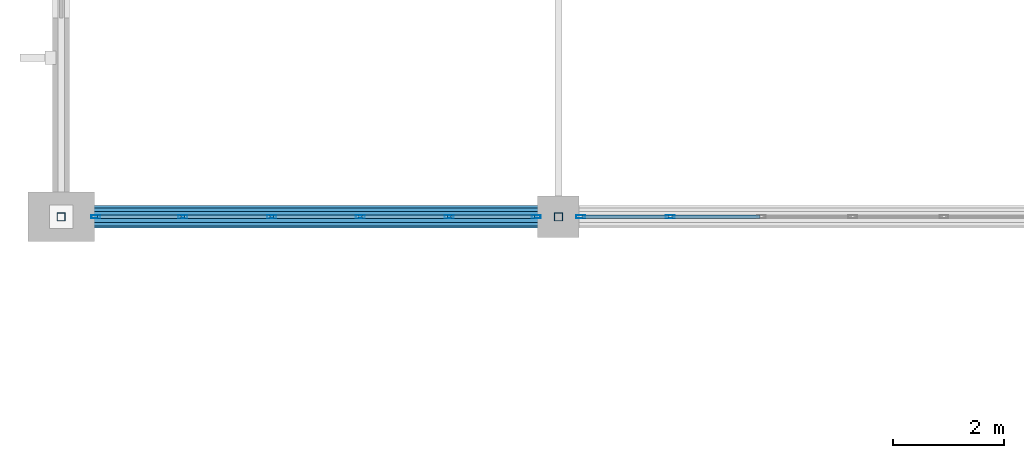
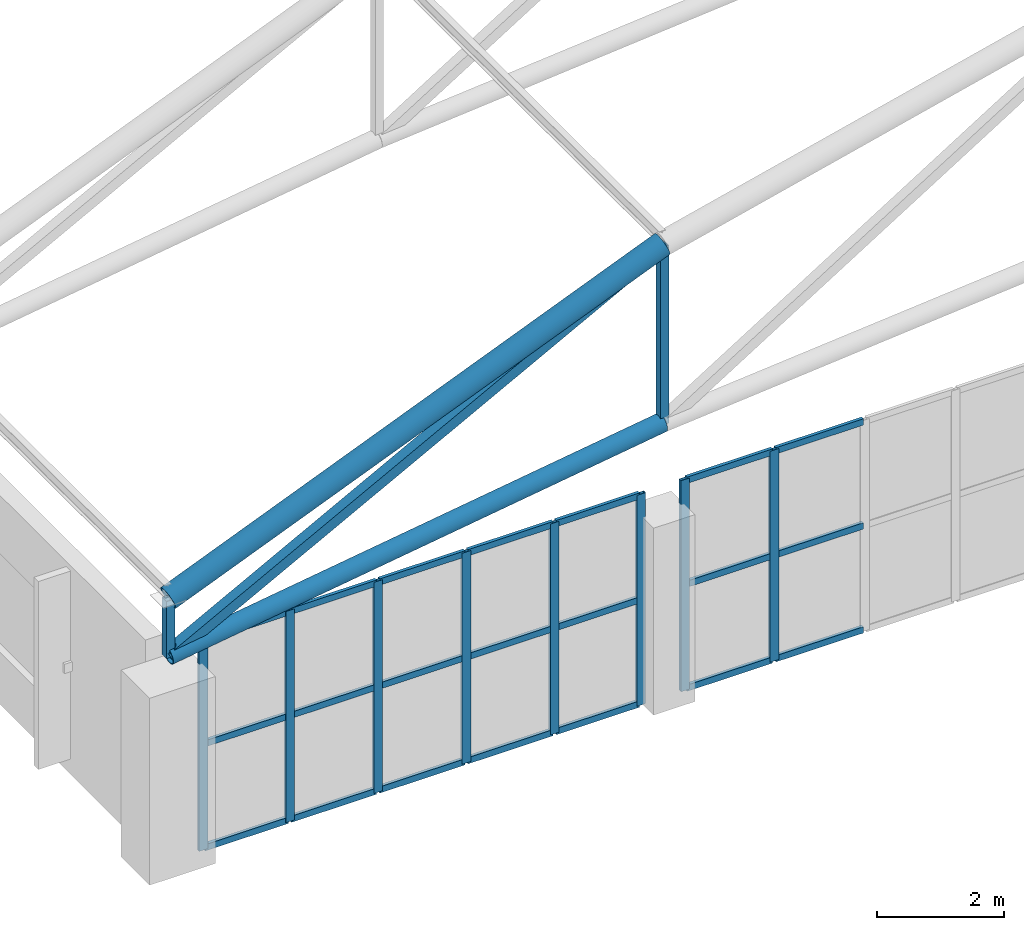
# One storey, part 4 of 167: 34 members, 2 elements without a shape of their own.
"""IFC4 building model written with IfcOpenShell, lengths in metres."""

import ifcopenshell
import ifcopenshell.guid

model = None  # the IFC model being written
_history = None  # IfcOwnerHistory: only IFC2X3 demands one
_inside = {}  # id of a spatial element -> (the spatial element, [elements in it])
_under = {}  # id of a project, library or spatial element -> (it, [spatial elements below it])
_declared = {}  # id of a project -> (the project, [libraries it declares])
_typed = {}  # id of a type object -> (the type object, [elements of that type])
_made_of = {}  # id of a material, layer set ... -> (it, [elements and type objects made of it])


def new_model(schema):
    """Start an empty IFC model of exactly this schema.

    Asked for "IFC4X3", IfcOpenShell would pick the latest addendum, in which some entities
    have other attributes; the version numbers below select the first issue.
    IFC2X3 requires an IfcOwnerHistory on every rooted entity: one is made here for all.
    """
    global model, _history
    if schema == "IFC4X3":
        model = ifcopenshell.file(schema_version=(4, 3, 0, 0))
    else:
        model = ifcopenshell.file(schema=schema)
    _inside.clear()
    _under.clear()
    _declared.clear()
    _typed.clear()
    _made_of.clear()
    _history = None
    if model.schema == "IFC2X3":
        org = make("IfcOrganization", Name="unknown")
        user = make(
            "IfcPersonAndOrganization",
            ThePerson=make("IfcPerson", FamilyName="unknown"),
            TheOrganization=org,
        )
        app = make(
            "IfcApplication",
            ApplicationDeveloper=org,
            Version="unknown",
            ApplicationFullName="unknown",
            ApplicationIdentifier="unknown",
        )
        _history = make(
            "IfcOwnerHistory",
            OwningUser=user,
            OwningApplication=app,
            ChangeAction="ADDED",
            CreationDate=0,
        )
    return model


def make(cls, **values):
    """One entity of the class cls with the attributes given. An attribute that is None is left unset."""
    return model.create_entity(
        cls, **{name: value for name, value in values.items() if value is not None}
    )


def rooted(cls, **values):
    """An entity with a GlobalId (a new one), such as an element, a storey or a relation."""
    return make(cls, GlobalId=ifcopenshell.guid.new(), OwnerHistory=_history, **values)


def si_unit(unit_type, name, prefix=None):
    """IfcSIUnit, for example si_unit("LENGTHUNIT", "METRE", prefix="MILLI")."""
    return make("IfcSIUnit", UnitType=unit_type, Prefix=prefix, Name=name)


def assignment(units):
    """IfcUnitAssignment: the units of a project."""
    return None if units is None else make("IfcUnitAssignment", Units=units)


def point(xyz):
    """IfcCartesianPoint."""
    return None if xyz is None else make("IfcCartesianPoint", Coordinates=xyz)


def direction(xyz):
    """IfcDirection."""
    return None if xyz is None else make("IfcDirection", DirectionRatios=xyz)


def frame(location, z_axis=None, x_axis=None):
    """IfcAxis2Placement3D, a coordinate frame: its origin and axes. An axis left out is left unset."""
    return make(
        "IfcAxis2Placement3D",
        Location=point(location),
        Axis=direction(z_axis),
        RefDirection=direction(x_axis),
    )


def frame_2d(location, x_axis=None):
    """IfcAxis2Placement2D, a coordinate frame in the plane: its origin and x axis."""
    return make(
        "IfcAxis2Placement2D", Location=point(location), RefDirection=direction(x_axis)
    )


def origin():
    """The frame at (0, 0, 0) with its axes left unset."""
    return frame((0.0, 0.0, 0.0))


def origin_2d():
    """The frame at (0, 0) in the plane with its x axis left unset."""
    return frame_2d((0.0, 0.0))


def place(relative_to, where):
    """IfcLocalPlacement: puts the frame where relative to a parent placement (None: the world)."""
    return make(
        "IfcLocalPlacement", PlacementRelTo=relative_to, RelativePlacement=where
    )


def context(
    kind, dimensions, precision=None, world=None, true_north=None, identifier=None
):
    """IfcGeometricRepresentationContext, for example the 3D "Model" context."""
    return make(
        "IfcGeometricRepresentationContext",
        ContextIdentifier=identifier,
        ContextType=kind,
        CoordinateSpaceDimension=dimensions,
        Precision=precision,
        WorldCoordinateSystem=world,
        TrueNorth=true_north,
    )


def subcontext(parent, identifier, kind, view, scale=None):
    """IfcGeometricRepresentationSubContext, for example "Body" below "Model"."""
    return make(
        "IfcGeometricRepresentationSubContext",
        ContextIdentifier=identifier,
        ContextType=kind,
        ParentContext=parent,
        TargetScale=scale,
        TargetView=view,
    )


def project(units=None, contexts=None):
    """IfcProject with its units and contexts."""
    return rooted(
        "IfcProject",
        Name="project",
        RepresentationContexts=contexts,
        UnitsInContext=assignment(units),
    )


def spatial(cls, under=None, at=None, **own):
    """A site, building, storey or space (cls), placed at a placement, below another one or the project."""
    s = rooted(cls, ObjectPlacement=at, **own)
    if under is not None:
        _under.setdefault(under.id(), (under, []))[1].append(s)
    return s


def profile(cls, at=None, kind="AREA", **sizes):
    """A parametric profile (cls). Its sizes go by their IFC names, for example OverallWidth=200.0."""
    return make(cls, ProfileType=kind, Position=at, **sizes)


def hollow_rectangle(**sizes):
    """IfcRectangleHollowProfileDef."""
    return profile("IfcRectangleHollowProfileDef", **sizes)


def hollow_circle(**sizes):
    """IfcCircleHollowProfileDef."""
    return profile("IfcCircleHollowProfileDef", **sizes)


def extrude(swept, where, along, depth):
    """IfcExtrudedAreaSolid: the profile swept, set in the frame where, extruded along a direction by depth."""
    return make(
        "IfcExtrudedAreaSolid",
        SweptArea=swept,
        Position=where,
        ExtrudedDirection=direction(along),
        Depth=depth,
    )


def shape(context_of_items, identifier, shape_type, items):
    """IfcShapeRepresentation: the items that make up one representation, for example the "Body"."""
    return make(
        "IfcShapeRepresentation",
        ContextOfItems=context_of_items,
        RepresentationIdentifier=identifier,
        RepresentationType=shape_type,
        Items=items,
    )


def material(Name=None, Category=None):
    """IfcMaterial."""
    return make("IfcMaterial", Name=Name, Category=Category)


def layer(
    of_material, thickness, ventilated=None, Name=None, Category=None, Priority=None
):
    """IfcMaterialLayer: one layer of a wall or slab, of a material (None: an air gap)."""
    return make(
        "IfcMaterialLayer",
        Material=of_material,
        LayerThickness=thickness,
        IsVentilated=ventilated,
        Name=Name,
        Category=Category,
        Priority=Priority,
    )


def layer_set(layers, Name=None):
    """IfcMaterialLayerSet."""
    return make("IfcMaterialLayerSet", MaterialLayers=layers, LayerSetName=Name)


def material_profile(
    of_material, cross_section, Name=None, Category=None, Priority=None
):
    """IfcMaterialProfile: a cross section and its material."""
    return make(
        "IfcMaterialProfile",
        Name=Name,
        Material=of_material,
        Profile=cross_section,
        Priority=Priority,
        Category=Category,
    )


def profile_set(profiles, Name=None, composite=None):
    """IfcMaterialProfileSet."""
    return make(
        "IfcMaterialProfileSet",
        Name=Name,
        MaterialProfiles=profiles,
        CompositeProfile=composite,
    )


def made_of(thing, what):
    """Note that an element or type object is made of a material, layer set ...; save() writes the relation."""
    if what is not None:
        _made_of.setdefault(what.id(), (what, []))[1].append(thing)
    return thing


def type_object(cls, material=None, **own):
    """A type object (cls), such as IfcWallType, which elements share."""
    return made_of(rooted(cls, **own), material)


def element(
    cls,
    number,
    at=None,
    inside=None,
    cuts=None,
    type_object=None,
    material=None,
    context=None,
    identifier="Body",
    shape_type=None,
    held_by="IfcProductDefinitionShape",
    body=None,
    shapes=None,
    **own,
):
    """One element of the class cls, such as IfcWall. Its Tag is "e" and its number.

    at: its placement. inside: the storey or other place that contains it. cuts: it is an
    opening in that element (IfcRelVoidsElement). A single representation is given by context,
    identifier, shape_type and body (its items); several are given by shapes. held_by: the class
    of the entity that holds the representations. save() writes the other relations.
    """
    e = rooted(cls, Tag="e%d" % number, ObjectPlacement=at, **own)
    if body is not None:
        shapes = [shape(context, identifier, shape_type, body)]
    if shapes is not None:
        e.Representation = make(held_by, Representations=shapes)
    if inside is not None:
        _inside.setdefault(inside.id(), (inside, []))[1].append(e)
    if cuts is not None:
        rooted(
            "IfcRelVoidsElement", RelatingBuildingElement=cuts, RelatedOpeningElement=e
        )
    if type_object is not None:
        _typed.setdefault(type_object.id(), (type_object, []))[1].append(e)
    return made_of(e, material)


def aggregate(whole, parts):
    """IfcRelAggregates: a whole, such as a stair, and the parts it consists of."""
    return rooted("IfcRelAggregates", RelatingObject=whole, RelatedObjects=parts)


def save(model, path):
    """Write the relations noted so far, then the file.

    IfcRelAggregates (storeys below a building ...), IfcRelContainedInSpatialStructure (elements
    in a storey), IfcRelDefinesByType, IfcRelAssociatesMaterial and IfcRelDeclares: one each for
    every whole, place, type object, material and project.
    """
    for whole, parts in _under.values():
        aggregate(whole, parts)
    for where, things in _inside.values():
        rooted(
            "IfcRelContainedInSpatialStructure",
            RelatedElements=things,
            RelatingStructure=where,
        )
    for kind, things in _typed.values():
        rooted("IfcRelDefinesByType", RelatedObjects=things, RelatingType=kind)
    for what, things in _made_of.values():
        rooted("IfcRelAssociatesMaterial", RelatedObjects=things, RelatingMaterial=what)
    for by, libraries in _declared.values():
        rooted("IfcRelDeclares", RelatingContext=by, RelatedDefinitions=libraries)
    model.write(path)


model = new_model("IFC4")

# Units and contexts
model_context = context("Model", 3, precision=1e-05, world=origin(), true_north=direction((0.0, 1.0)))
body_context = subcontext(model_context, "Body", "Model", "MODEL_VIEW")
ifc_project = project(units=[si_unit("LENGTHUNIT", "METRE"), si_unit("AREAUNIT", "SQUARE_METRE"), si_unit("VOLUMEUNIT", "CUBIC_METRE"), si_unit("PLANEANGLEUNIT", "RADIAN"), si_unit("MASSUNIT", "GRAM", prefix="KILO")], contexts=[model_context])

# Site, building, storey
site_placement = place(None, origin())
site = spatial("IfcSite", under=ifc_project, at=site_placement, CompositionType="ELEMENT")
building_placement = place(site_placement, origin())
building = spatial("IfcBuilding", under=site, at=building_placement, Name="Dornveld Trade and Exhibition Forum", CompositionType="ELEMENT")
storey_placement = place(building_placement, frame((0.0, 0.0, 16.800048828125)))
storey = spatial("IfcBuildingStorey", under=building, at=storey_placement, Name="L03", CompositionType="ELEMENT", Elevation=16.800048828125)

# Curtain wall, members
ifc_material_1 = material(Name="Dark-bronze anodised aluminium and low-E glass", Category="aluminium")
ifc_layer_1 = layer(ifc_material_1, 0.180908203125)
ifc_layer_set_1 = layer_set([ifc_layer_1], Name="Dark-bronze anodised aluminium and low-E glass")
curtain_wall_type_1 = type_object("IfcCurtainWallType", Name="CW-SYS-13", PredefinedType="USERDEFINED", material=ifc_layer_set_1)
curtain_wall_1_placement = place(storey_placement, origin())
curtain_wall_1 = element("IfcCurtainWall", 1, at=curtain_wall_1_placement, inside=storey, type_object=curtain_wall_type_1, Name="L03 unitised curtain wall 31", ObjectType="UNITISED_CURTAIN_WALL", PredefinedType="USERDEFINED")
ifc_material_2 = material(Name="Dark-bronze anodised aluminium", Category="aluminium")
ifc_material_profile_1 = material_profile(ifc_material_2, hollow_rectangle(XDim=0.06005859375, YDim=0.159912109375, WallThickness=0.00390625, at=origin_2d()), Name="RHS 160x60x4")
ifc_profile_set_1 = profile_set([ifc_material_profile_1], Name="Dark-bronze anodised aluminium")
member_type_1 = type_object("IfcMemberType", Name="CW-MUL-160", PredefinedType="MULLION", material=ifc_profile_set_1)
member_1_placement = place(storey_placement, frame((27.6259765625, 36.0, -0.004150390625), z_axis=(0.0, 0.0, 1.0), x_axis=(0.0, 1.0, 0.0)))
member_1 = element("IfcMember", 2, at=member_1_placement, type_object=member_type_1, Name="CW-13 mullion 1", PredefinedType="MULLION", context=body_context, shape_type="SweptSolid", body=[
    extrude(hollow_rectangle(XDim=0.06005859375, YDim=0.159912109375, WallThickness=0.00390625, at=origin_2d()), origin(), (0.0, 0.0, 1.0), 4.064208984375),
])
member_2_placement = place(storey_placement, frame((29.20263671875, 36.0, -0.004150390625), z_axis=(0.0, 0.0, 1.0), x_axis=(0.0, 1.0, 0.0)))
member_2 = element("IfcMember", 3, at=member_2_placement, type_object=member_type_1, Name="CW-13 mullion 2", PredefinedType="MULLION", context=body_context, shape_type="SweptSolid", body=[
    extrude(hollow_rectangle(XDim=0.06005859375, YDim=0.159912109375, WallThickness=0.00390625, at=origin_2d()), origin(), (0.0, 0.0, 1.0), 4.064208984375),
])
member_3_placement = place(storey_placement, frame((30.80908203125, 36.0, -0.004150390625), z_axis=(0.0, 0.0, 1.0), x_axis=(0.0, 1.0, 0.0)))
member_3 = element("IfcMember", 4, at=member_3_placement, type_object=member_type_1, Name="CW-13 mullion 3", PredefinedType="MULLION", context=body_context, shape_type="SweptSolid", body=[
    extrude(hollow_rectangle(XDim=0.06005859375, YDim=0.159912109375, WallThickness=0.00390625, at=origin_2d()), origin(), (0.0, 0.0, 1.0), 4.064208984375),
])
member_4_placement = place(storey_placement, frame((32.415771484375, 36.0, -0.004150390625), z_axis=(0.0, 0.0, 1.0), x_axis=(0.0, 1.0, 0.0)))
member_4 = element("IfcMember", 5, at=member_4_placement, type_object=member_type_1, Name="CW-13 mullion 4", PredefinedType="MULLION", context=body_context, shape_type="SweptSolid", body=[
    extrude(hollow_rectangle(XDim=0.06005859375, YDim=0.159912109375, WallThickness=0.00390625, at=origin_2d()), origin(), (0.0, 0.0, 1.0), 4.064208984375),
])
member_5_placement = place(storey_placement, frame((34.0224609375, 36.0, -0.004150390625), z_axis=(0.0, 0.0, 1.0), x_axis=(0.0, 1.0, 0.0)))
member_5 = element("IfcMember", 6, at=member_5_placement, type_object=member_type_1, Name="CW-13 mullion 5", PredefinedType="MULLION", context=body_context, shape_type="SweptSolid", body=[
    extrude(hollow_rectangle(XDim=0.06005859375, YDim=0.159912109375, WallThickness=0.00390625, at=origin_2d()), origin(), (0.0, 0.0, 1.0), 4.064208984375),
])
member_6_placement = place(storey_placement, frame((35.59912109375, 36.0, -0.004150390625), z_axis=(0.0, 0.0, 1.0), x_axis=(0.0, 1.0, 0.0)))
member_6 = element("IfcMember", 7, at=member_6_placement, type_object=member_type_1, Name="CW-13 mullion 6", PredefinedType="MULLION", context=body_context, shape_type="SweptSolid", body=[
    extrude(hollow_rectangle(XDim=0.06005859375, YDim=0.159912109375, WallThickness=0.00390625, at=origin_2d()), origin(), (0.0, 0.0, 1.0), 4.064208984375),
])

ifc_material_3 = material(Name="Dark-bronze anodised aluminium and low-E glass", Category="aluminium")
ifc_layer_2 = layer(ifc_material_3, 0.18701171875)
ifc_layer_set_2 = layer_set([ifc_layer_2], Name="Dark-bronze anodised aluminium and low-E glass")
curtain_wall_type_2 = type_object("IfcCurtainWallType", Name="CW-SYS-15", PredefinedType="USERDEFINED", material=ifc_layer_set_2)
curtain_wall_2_placement = place(storey_placement, origin())
curtain_wall_2 = element("IfcCurtainWall", 8, at=curtain_wall_2_placement, inside=storey, type_object=curtain_wall_type_2, Name="L03 unitised curtain wall 33", ObjectType="UNITISED_CURTAIN_WALL", PredefinedType="USERDEFINED")
member_7_placement = place(storey_placement, frame((36.40087890625, 36.0, -0.004150390625), z_axis=(0.0, 0.0, 1.0), x_axis=(0.0, 1.0, 0.0)))
member_7 = element("IfcMember", 9, at=member_7_placement, type_object=member_type_1, Name="CW-15 mullion 1", PredefinedType="MULLION", context=body_context, shape_type="SweptSolid", body=[
    extrude(hollow_rectangle(XDim=0.06005859375, YDim=0.159912109375, WallThickness=0.00390625, at=origin_2d()), origin(), (0.0, 0.0, 1.0), 4.064208984375),
])
member_8_placement = place(storey_placement, frame((38.022705078125, 36.0, -0.004150390625), z_axis=(0.0, 0.0, 1.0), x_axis=(0.0, 1.0, 0.0)))
member_8 = element("IfcMember", 10, at=member_8_placement, type_object=member_type_1, Name="CW-15 mullion 2", PredefinedType="MULLION", context=body_context, shape_type="SweptSolid", body=[
    extrude(hollow_rectangle(XDim=0.06005859375, YDim=0.159912109375, WallThickness=0.00390625, at=origin_2d()), origin(), (0.0, 0.0, 1.0), 4.064208984375),
])

# Member
ifc_material_4 = material(Name="Dark-bronze anodised aluminium", Category="aluminium")
ifc_material_profile_2 = material_profile(ifc_material_4, hollow_rectangle(XDim=0.06005859375, YDim=0.1201171875, WallThickness=0.00390625, at=origin_2d()), Name="RHS 120x60x4")
ifc_profile_set_2 = profile_set([ifc_material_profile_2], Name="Dark-bronze anodised aluminium")
member_type_2 = type_object("IfcMemberType", Name="CW-TRN-120", PredefinedType="USERDEFINED", material=ifc_profile_set_2)
member_9_placement = place(storey_placement, frame((27.656005859375, 36.0, 0.02587890625), z_axis=(1.0, 0.0, 0.0), x_axis=(0.0, 1.0, 0.0)))
member_9 = element("IfcMember", 11, at=member_9_placement, type_object=member_type_2, Name="CW-13 transom 1.1", ObjectType="TRANSOM", PredefinedType="USERDEFINED", context=body_context, shape_type="SweptSolid", body=[
    extrude(hollow_rectangle(XDim=0.06005859375, YDim=0.1201171875, WallThickness=0.00390625, at=origin_2d()), origin(), (0.0, 0.0, 1.0), 1.5166015625),
])

member_10_placement = place(storey_placement, frame((27.656005859375, 36.0, 2.02783203125), z_axis=(1.0, 0.0, 0.0), x_axis=(0.0, 1.0, 0.0)))
member_10 = element("IfcMember", 12, at=member_10_placement, type_object=member_type_2, Name="CW-13 transom 1.2", ObjectType="TRANSOM", PredefinedType="USERDEFINED", context=body_context, shape_type="SweptSolid", body=[
    extrude(hollow_rectangle(XDim=0.06005859375, YDim=0.1201171875, WallThickness=0.00390625, at=origin_2d()), origin(), (0.0, 0.0, 1.0), 1.5166015625),
])

member_11_placement = place(storey_placement, frame((27.656005859375, 36.0, 4.030029296875), z_axis=(1.0, 0.0, 0.0), x_axis=(0.0, 1.0, 0.0)))
member_11 = element("IfcMember", 13, at=member_11_placement, type_object=member_type_2, Name="CW-13 transom 1.3", ObjectType="TRANSOM", PredefinedType="USERDEFINED", context=body_context, shape_type="SweptSolid", body=[
    extrude(hollow_rectangle(XDim=0.06005859375, YDim=0.1201171875, WallThickness=0.00390625, at=origin_2d()), origin(), (0.0, 0.0, 1.0), 1.5166015625),
])

member_12_placement = place(storey_placement, frame((29.232666015625, 36.0, 0.02587890625), z_axis=(1.0, 0.0, 0.0), x_axis=(0.0, 1.0, 0.0)))
member_12 = element("IfcMember", 14, at=member_12_placement, type_object=member_type_2, Name="CW-13 transom 2.1", ObjectType="TRANSOM", PredefinedType="USERDEFINED", context=body_context, shape_type="SweptSolid", body=[
    extrude(hollow_rectangle(XDim=0.06005859375, YDim=0.1201171875, WallThickness=0.00390625, at=origin_2d()), origin(), (0.0, 0.0, 1.0), 1.546630859375),
])

member_13_placement = place(storey_placement, frame((29.232666015625, 36.0, 2.02783203125), z_axis=(1.0, 0.0, 0.0), x_axis=(0.0, 1.0, 0.0)))
member_13 = element("IfcMember", 15, at=member_13_placement, type_object=member_type_2, Name="CW-13 transom 2.2", ObjectType="TRANSOM", PredefinedType="USERDEFINED", context=body_context, shape_type="SweptSolid", body=[
    extrude(hollow_rectangle(XDim=0.06005859375, YDim=0.1201171875, WallThickness=0.00390625, at=origin_2d()), origin(), (0.0, 0.0, 1.0), 1.546630859375),
])

member_14_placement = place(storey_placement, frame((29.232666015625, 36.0, 4.030029296875), z_axis=(1.0, 0.0, 0.0), x_axis=(0.0, 1.0, 0.0)))
member_14 = element("IfcMember", 16, at=member_14_placement, type_object=member_type_2, Name="CW-13 transom 2.3", ObjectType="TRANSOM", PredefinedType="USERDEFINED", context=body_context, shape_type="SweptSolid", body=[
    extrude(hollow_rectangle(XDim=0.06005859375, YDim=0.1201171875, WallThickness=0.00390625, at=origin_2d()), origin(), (0.0, 0.0, 1.0), 1.546630859375),
])

member_15_placement = place(storey_placement, frame((30.839111328125, 36.0, 0.02587890625), z_axis=(1.0, 0.0, 0.0), x_axis=(0.0, 1.0, 0.0)))
member_15 = element("IfcMember", 17, at=member_15_placement, type_object=member_type_2, Name="CW-13 transom 3.1", ObjectType="TRANSOM", PredefinedType="USERDEFINED", context=body_context, shape_type="SweptSolid", body=[
    extrude(hollow_rectangle(XDim=0.06005859375, YDim=0.1201171875, WallThickness=0.00390625, at=origin_2d()), origin(), (0.0, 0.0, 1.0), 1.546630859375),
])

member_16_placement = place(storey_placement, frame((30.839111328125, 36.0, 2.02783203125), z_axis=(1.0, 0.0, 0.0), x_axis=(0.0, 1.0, 0.0)))
member_16 = element("IfcMember", 18, at=member_16_placement, type_object=member_type_2, Name="CW-13 transom 3.2", ObjectType="TRANSOM", PredefinedType="USERDEFINED", context=body_context, shape_type="SweptSolid", body=[
    extrude(hollow_rectangle(XDim=0.06005859375, YDim=0.1201171875, WallThickness=0.00390625, at=origin_2d()), origin(), (0.0, 0.0, 1.0), 1.546630859375),
])

member_17_placement = place(storey_placement, frame((30.839111328125, 36.0, 4.030029296875), z_axis=(1.0, 0.0, 0.0), x_axis=(0.0, 1.0, 0.0)))
member_17 = element("IfcMember", 19, at=member_17_placement, type_object=member_type_2, Name="CW-13 transom 3.3", ObjectType="TRANSOM", PredefinedType="USERDEFINED", context=body_context, shape_type="SweptSolid", body=[
    extrude(hollow_rectangle(XDim=0.06005859375, YDim=0.1201171875, WallThickness=0.00390625, at=origin_2d()), origin(), (0.0, 0.0, 1.0), 1.546630859375),
])

member_18_placement = place(storey_placement, frame((32.44580078125, 36.0, 0.02587890625), z_axis=(1.0, 0.0, 0.0), x_axis=(0.0, 1.0, 0.0)))
member_18 = element("IfcMember", 20, at=member_18_placement, type_object=member_type_2, Name="CW-13 transom 4.1", ObjectType="TRANSOM", PredefinedType="USERDEFINED", context=body_context, shape_type="SweptSolid", body=[
    extrude(hollow_rectangle(XDim=0.06005859375, YDim=0.1201171875, WallThickness=0.00390625, at=origin_2d()), origin(), (0.0, 0.0, 1.0), 1.546630859375),
])

member_19_placement = place(storey_placement, frame((32.44580078125, 36.0, 2.02783203125), z_axis=(1.0, 0.0, 0.0), x_axis=(0.0, 1.0, 0.0)))
member_19 = element("IfcMember", 21, at=member_19_placement, type_object=member_type_2, Name="CW-13 transom 4.2", ObjectType="TRANSOM", PredefinedType="USERDEFINED", context=body_context, shape_type="SweptSolid", body=[
    extrude(hollow_rectangle(XDim=0.06005859375, YDim=0.1201171875, WallThickness=0.00390625, at=origin_2d()), origin(), (0.0, 0.0, 1.0), 1.546630859375),
])

member_20_placement = place(storey_placement, frame((32.44580078125, 36.0, 4.030029296875), z_axis=(1.0, 0.0, 0.0), x_axis=(0.0, 1.0, 0.0)))
member_20 = element("IfcMember", 22, at=member_20_placement, type_object=member_type_2, Name="CW-13 transom 4.3", ObjectType="TRANSOM", PredefinedType="USERDEFINED", context=body_context, shape_type="SweptSolid", body=[
    extrude(hollow_rectangle(XDim=0.06005859375, YDim=0.1201171875, WallThickness=0.00390625, at=origin_2d()), origin(), (0.0, 0.0, 1.0), 1.546630859375),
])

member_21_placement = place(storey_placement, frame((34.052490234375, 36.0, 0.02587890625), z_axis=(1.0, 0.0, 0.0), x_axis=(0.0, 1.0, 0.0)))
member_21 = element("IfcMember", 23, at=member_21_placement, type_object=member_type_2, Name="CW-13 transom 5.1", ObjectType="TRANSOM", PredefinedType="USERDEFINED", context=body_context, shape_type="SweptSolid", body=[
    extrude(hollow_rectangle(XDim=0.06005859375, YDim=0.1201171875, WallThickness=0.00390625, at=origin_2d()), origin(), (0.0, 0.0, 1.0), 1.5166015625),
])

member_22_placement = place(storey_placement, frame((34.052490234375, 36.0, 2.02783203125), z_axis=(1.0, 0.0, 0.0), x_axis=(0.0, 1.0, 0.0)))
member_22 = element("IfcMember", 24, at=member_22_placement, type_object=member_type_2, Name="CW-13 transom 5.2", ObjectType="TRANSOM", PredefinedType="USERDEFINED", context=body_context, shape_type="SweptSolid", body=[
    extrude(hollow_rectangle(XDim=0.06005859375, YDim=0.1201171875, WallThickness=0.00390625, at=origin_2d()), origin(), (0.0, 0.0, 1.0), 1.5166015625),
])

member_23_placement = place(storey_placement, frame((34.052490234375, 36.0, 4.030029296875), z_axis=(1.0, 0.0, 0.0), x_axis=(0.0, 1.0, 0.0)))
member_23 = element("IfcMember", 25, at=member_23_placement, type_object=member_type_2, Name="CW-13 transom 5.3", ObjectType="TRANSOM", PredefinedType="USERDEFINED", context=body_context, shape_type="SweptSolid", body=[
    extrude(hollow_rectangle(XDim=0.06005859375, YDim=0.1201171875, WallThickness=0.00390625, at=origin_2d()), origin(), (0.0, 0.0, 1.0), 1.5166015625),
])

aggregate(curtain_wall_1, [member_1, member_2, member_3, member_4, member_5, member_6, member_9, member_10, member_11, member_12, member_13, member_14, member_15, member_16, member_17, member_18, member_19, member_20, member_21, member_22, member_23])

member_24_placement = place(storey_placement, frame((36.430908203125, 36.0, 0.02587890625), z_axis=(1.0, 0.0, 0.0), x_axis=(0.0, 1.0, 0.0)))
member_24 = element("IfcMember", 26, at=member_24_placement, type_object=member_type_2, Name="CW-15 transom 1.1", ObjectType="TRANSOM", PredefinedType="USERDEFINED", context=body_context, shape_type="SweptSolid", body=[
    extrude(hollow_rectangle(XDim=0.06005859375, YDim=0.1201171875, WallThickness=0.00390625, at=origin_2d()), origin(), (0.0, 0.0, 1.0), 1.561767578125),
])

member_25_placement = place(storey_placement, frame((36.430908203125, 36.0, 2.02783203125), z_axis=(1.0, 0.0, 0.0), x_axis=(0.0, 1.0, 0.0)))
member_25 = element("IfcMember", 27, at=member_25_placement, type_object=member_type_2, Name="CW-15 transom 1.2", ObjectType="TRANSOM", PredefinedType="USERDEFINED", context=body_context, shape_type="SweptSolid", body=[
    extrude(hollow_rectangle(XDim=0.06005859375, YDim=0.1201171875, WallThickness=0.00390625, at=origin_2d()), origin(), (0.0, 0.0, 1.0), 1.561767578125),
])

member_26_placement = place(storey_placement, frame((36.430908203125, 36.0, 4.030029296875), z_axis=(1.0, 0.0, 0.0), x_axis=(0.0, 1.0, 0.0)))
member_26 = element("IfcMember", 28, at=member_26_placement, type_object=member_type_2, Name="CW-15 transom 1.3", ObjectType="TRANSOM", PredefinedType="USERDEFINED", context=body_context, shape_type="SweptSolid", body=[
    extrude(hollow_rectangle(XDim=0.06005859375, YDim=0.1201171875, WallThickness=0.00390625, at=origin_2d()), origin(), (0.0, 0.0, 1.0), 1.561767578125),
])

member_27_placement = place(storey_placement, frame((38.052490234375, 36.0, 0.02587890625), z_axis=(1.0, 0.0, 0.0), x_axis=(0.0, 1.0, 0.0)))
member_27 = element("IfcMember", 29, at=member_27_placement, type_object=member_type_2, Name="CW-15 transom 2.1", ObjectType="TRANSOM", PredefinedType="USERDEFINED", context=body_context, shape_type="SweptSolid", body=[
    extrude(hollow_rectangle(XDim=0.06005859375, YDim=0.1201171875, WallThickness=0.00390625, at=origin_2d()), origin(), (0.0, 0.0, 1.0), 1.591796875),
])

member_28_placement = place(storey_placement, frame((38.052490234375, 36.0, 2.02783203125), z_axis=(1.0, 0.0, 0.0), x_axis=(0.0, 1.0, 0.0)))
member_28 = element("IfcMember", 30, at=member_28_placement, type_object=member_type_2, Name="CW-15 transom 2.2", ObjectType="TRANSOM", PredefinedType="USERDEFINED", context=body_context, shape_type="SweptSolid", body=[
    extrude(hollow_rectangle(XDim=0.06005859375, YDim=0.1201171875, WallThickness=0.00390625, at=origin_2d()), origin(), (0.0, 0.0, 1.0), 1.591796875),
])

member_29_placement = place(storey_placement, frame((38.052490234375, 36.0, 4.030029296875), z_axis=(1.0, 0.0, 0.0), x_axis=(0.0, 1.0, 0.0)))
member_29 = element("IfcMember", 31, at=member_29_placement, type_object=member_type_2, Name="CW-15 transom 2.3", ObjectType="TRANSOM", PredefinedType="USERDEFINED", context=body_context, shape_type="SweptSolid", body=[
    extrude(hollow_rectangle(XDim=0.06005859375, YDim=0.1201171875, WallThickness=0.00390625, at=origin_2d()), origin(), (0.0, 0.0, 1.0), 1.591796875),
])

aggregate(curtain_wall_2, [member_7, member_8, member_24, member_25, member_26, member_27, member_28, member_29])

# Members
ifc_material_5 = material(Name="Steel S355J2", Category="steel")
ifc_material_profile_3 = material_profile(ifc_material_5, hollow_circle(Radius=0.161865234375, WallThickness=0.01611328125, at=origin_2d()), Name="CHS 323.9x16")
ifc_profile_set_3 = profile_set([ifc_material_profile_3], Name="Steel S355J2")
member_type_3 = type_object("IfcMemberType", Name="MEM-ARCH-BC", PredefinedType="CHORD", material=ifc_profile_set_3)
member_30_placement = place(storey_placement, frame((27.0, 36.0, 3.949951171875), z_axis=(0.989204758987, 0.0, 0.146539908551), x_axis=(0.0, 1.0, 0.0)))
element("IfcMember", 32, at=member_30_placement, inside=storey, type_object=member_type_3, Name="H3 truss 1 tie chord 1", PredefinedType="CHORD", context=body_context, shape_type="SweptSolid", body=[
    extrude(hollow_circle(Radius=0.161865234375, WallThickness=0.01611328125, at=origin_2d()), origin(), (0.0, 0.0, 1.0), 9.09814453125),
])
ifc_material_6 = material(Name="Steel S355J2", Category="steel")
ifc_material_profile_4 = material_profile(ifc_material_6, hollow_rectangle(XDim=0.14990234375, YDim=0.14990234375, WallThickness=0.008056640625, at=origin_2d()), Name="SHS 150x150x8")
ifc_profile_set_4 = profile_set([ifc_material_profile_4], Name="Steel S355J2")
member_type_4 = type_object("IfcMemberType", Name="MEM-ARCH-STR", PredefinedType="STRUT", material=ifc_profile_set_4)
member_31_placement = place(storey_placement, frame((27.0, 36.0, 3.949951171875), z_axis=(0.0, 0.0, 1.0), x_axis=(1.0, 0.0, 0.0)))
element("IfcMember", 33, at=member_31_placement, inside=storey, type_object=member_type_4, Name="H3 truss 1 strut 1", PredefinedType="STRUT", context=body_context, shape_type="SweptSolid", body=[
    extrude(hollow_rectangle(XDim=0.14990234375, YDim=0.14990234375, WallThickness=0.008056640625, at=origin_2d()), origin(), (0.0, 0.0, 1.0), 1.10009765625),
])
member_32_placement = place(storey_placement, frame((36.0, 36.0, 5.283203125), z_axis=(0.0, 0.0, 1.0), x_axis=(1.0, 0.0, 0.0)))
element("IfcMember", 34, at=member_32_placement, inside=storey, type_object=member_type_4, Name="H3 truss 1 strut 2", PredefinedType="STRUT", context=body_context, shape_type="SweptSolid", body=[
    extrude(hollow_rectangle(XDim=0.14990234375, YDim=0.14990234375, WallThickness=0.008056640625, at=origin_2d()), origin(), (0.0, 0.0, 1.0), 3.433349609375),
])
ifc_material_7 = material(Name="Steel S355J2", Category="steel")
ifc_material_profile_5 = material_profile(ifc_material_7, hollow_circle(Radius=0.203125, WallThickness=0.02001953125, at=origin_2d()), Name="CHS 406.4x20")
ifc_profile_set_5 = profile_set([ifc_material_profile_5], Name="Steel S355J2")
member_type_5 = type_object("IfcMemberType", Name="MEM-ARCH-TC", PredefinedType="CHORD", material=ifc_profile_set_5)
member_33_placement = place(storey_placement, frame((27.0, 36.0, 5.050048828125), z_axis=(0.926098211611, 0.0, 0.377282523383), x_axis=(0.0, 1.0, 0.0)))
element("IfcMember", 35, at=member_33_placement, inside=storey, type_object=member_type_5, Name="H3 truss 1 top chord 1", PredefinedType="CHORD", context=body_context, shape_type="SweptSolid", body=[
    extrude(hollow_circle(Radius=0.203125, WallThickness=0.02001953125, at=origin_2d()), origin(), (0.0, 0.0, 1.0), 9.71826171875),
])
ifc_material_8 = material(Name="Steel S355J2", Category="steel")
ifc_material_profile_6 = material_profile(ifc_material_8, hollow_rectangle(XDim=0.199951171875, YDim=0.199951171875, WallThickness=0.010009765625, at=origin_2d()), Name="SHS 200x200x10")
ifc_profile_set_6 = profile_set([ifc_material_profile_6], Name="Steel S355J2")
member_type_6 = type_object("IfcMemberType", Name="MEM-ARCH-WEB", PredefinedType="BRACE", material=ifc_profile_set_6)
member_34_placement = place(storey_placement, frame((27.0, 36.0, 3.949951171875), z_axis=(0.883710934211, 0.0, 0.468033102201), x_axis=(0.0, 1.0, 0.0)))
element("IfcMember", 36, at=member_34_placement, inside=storey, type_object=member_type_6, Name="H3 truss 1 web 1", PredefinedType="BRACE", context=body_context, shape_type="SweptSolid", body=[
    extrude(hollow_rectangle(XDim=0.199951171875, YDim=0.199951171875, WallThickness=0.010009765625, at=origin_2d()), origin(), (0.0, 0.0, 1.0), 10.184326171875),
])

save(model, "model.ifc")
